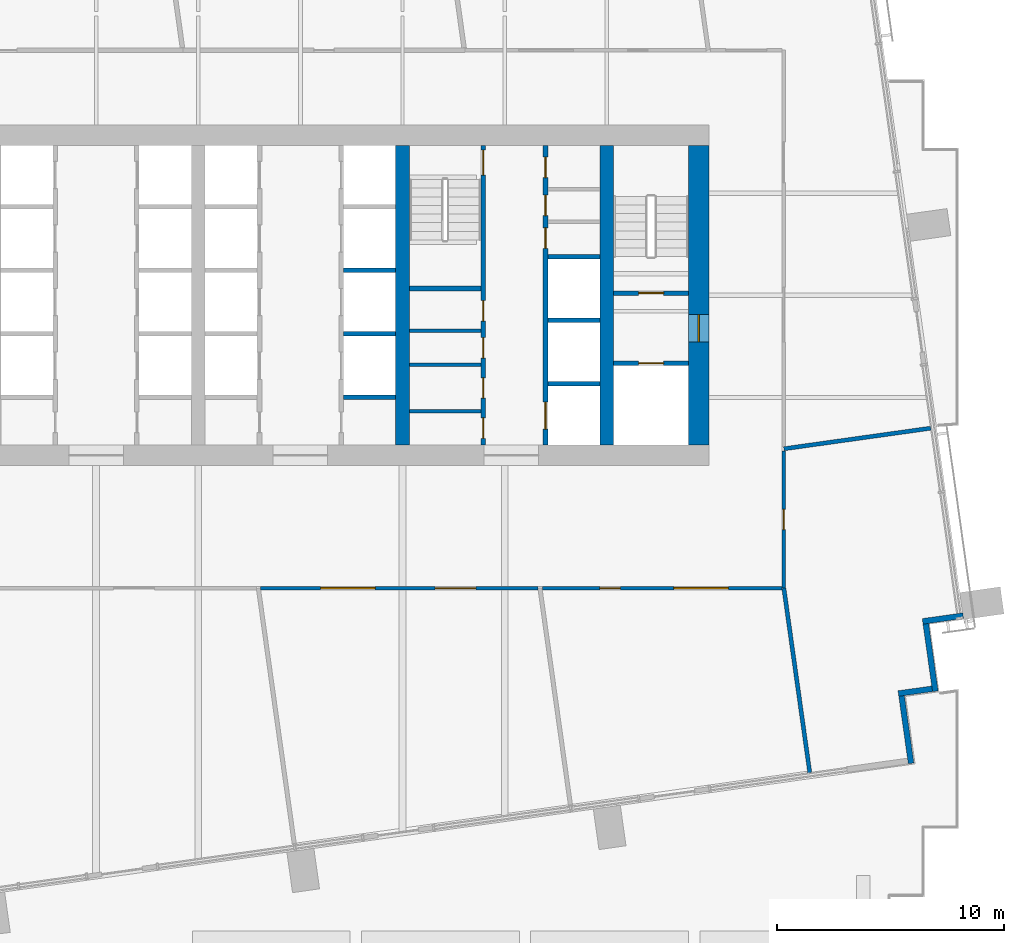
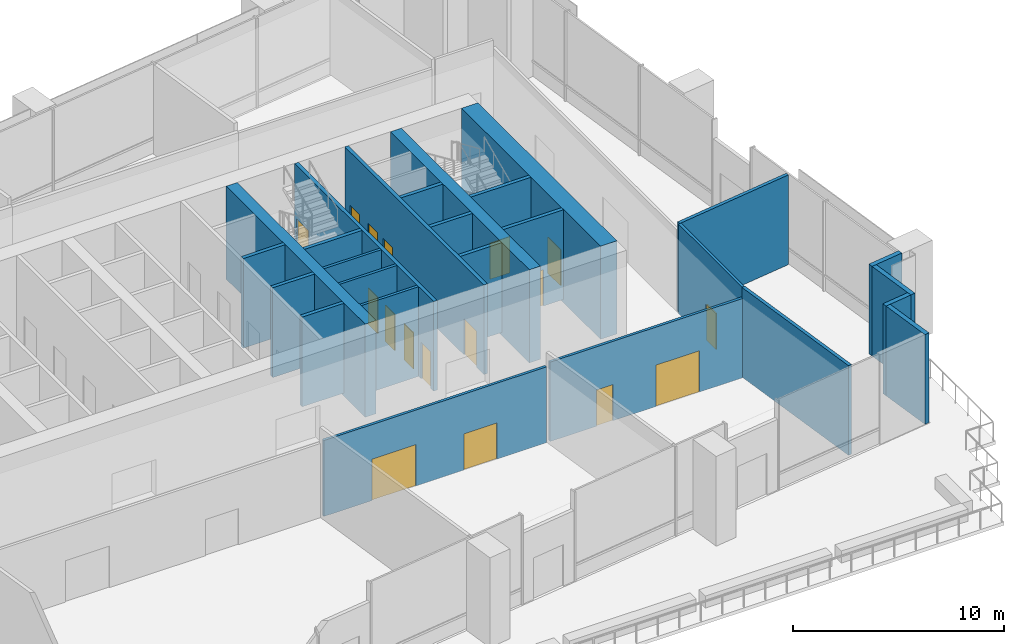
# One storey, part 9 of 17: 26 walls, 15 doors, 2 windows, 17 openings.
"""IFC4 building model written with IfcOpenShell, lengths in metres."""

from ifc_helpers import new_model, si_unit, direction, frame, frame_2d, origin, place, context, subcontext, project, spatial, rectangle, extrude, material, layer, layer_set, type_object, element, fill, save


model = new_model("IFC4")

# Units and contexts
model_context = context("Model", 3, precision=1e-05, world=origin(), true_north=direction((0.0, 1.0)))
body_context = subcontext(model_context, "Body", "Model", "MODEL_VIEW")
ifc_project = project(units=[si_unit("LENGTHUNIT", "METRE"), si_unit("AREAUNIT", "SQUARE_METRE"), si_unit("VOLUMEUNIT", "CUBIC_METRE"), si_unit("PLANEANGLEUNIT", "RADIAN"), si_unit("MASSUNIT", "GRAM", prefix="KILO")], contexts=[model_context])

# Site, building, storey
site_placement = place(None, origin())
site = spatial("IfcSite", under=ifc_project, at=site_placement, CompositionType="ELEMENT")
building_placement = place(site_placement, origin())
building = spatial("IfcBuilding", under=site, at=building_placement, Name="Rattan Terrace Tower", CompositionType="ELEMENT")
storey_placement = place(building_placement, frame((0.0, 0.0, 163.10009765625)))
storey = spatial("IfcBuildingStorey", under=building, at=storey_placement, Name="L37", CompositionType="ELEMENT", Elevation=163.10009765625)

# Walls
ifc_material_1 = material(Name="Gypsum board partition")
ifc_layer_1 = layer(ifc_material_1, 0.14990234375)
ifc_layer_set_1 = layer_set([ifc_layer_1], Name="Core partition 150")
wall_type_1 = type_object("IfcWallType", Name="Core partition 150", PredefinedType="PARTITIONING", material=ifc_layer_set_1)
for number, where, z_axis, x_axis, name in (
    (1, (4.800048828125, -5.10400390625, 0.0), (0.0, 0.0, 1.0), (1.0, 0.0, 0.0), "Toilet wall"),
    (2, (4.800048828125, -3.06396484375, 0.0), (0.0, 0.0, 1.0), (1.0, 0.0, 0.0), "Toilet wall"),
    (3, (4.800048828125, -1.568115234375, 0.0), (0.0, 0.0, 1.0), (1.0, 0.0, 0.0), "Toilet wall"),
):
    element("IfcWall", number, at=place(storey_placement, frame(where, z_axis=z_axis, x_axis=x_axis)), inside=storey, type_object=wall_type_1, Name=name, PredefinedType="PARTITIONING", context=body_context, shape_type="SweptSolid", body=[
        extrude(rectangle(XDim=3.14990234375, YDim=0.14990234375, at=frame_2d((1.574951171875, 0.0))), origin(), (0.0, 0.0, 1.0), 5.199951171875),
    ])

# Wall, opening, door
ifc_material_2 = material(Name="Gypsum board partition")
ifc_layer_2 = layer(ifc_material_2, 0.199951171875)
ifc_layer_set_2 = layer_set([ifc_layer_2], Name="Core partition 200")
wall_type_2 = type_object("IfcWallType", Name="Core partition 200", PredefinedType="PARTITIONING", material=ifc_layer_set_2)
wall_1_placement = place(storey_placement, frame((13.800048828125, -3.0, 0.0), z_axis=(0.0, 0.0, 1.0), x_axis=(1.0, 0.0, 0.0)))
wall_1 = element("IfcWall", 4, at=wall_1_placement, inside=storey, type_object=wall_type_2, Name="Fire-fighting lobby wall", PredefinedType="PARTITIONING", context=body_context, shape_type="SweptSolid", body=[
    extrude(rectangle(XDim=3.300048828125, YDim=0.199951171875, at=frame_2d((1.64990234375, 0.0))), origin(), (0.0, 0.0, 1.0), 5.199951171875),
])
opening_1_placement = place(wall_1_placement, frame((1.10009765625, 0.0, 0.0)))
opening_1 = element("IfcOpeningElement", 5, at=opening_1_placement, cuts=wall_1, Name="Opening L37-LD-FF2", PredefinedType="OPENING", context=body_context, shape_type="SweptSolid", body=[
    extrude(rectangle(XDim=1.10009765625, YDim=2.10009765625, at=frame_2d((0.550048828125, 1.050048828125))), frame((0.0, 0.110595703125, 0.0), z_axis=(0.0, -1.0, 0.0), x_axis=(1.0, 0.0, 0.0)), (0.0, 0.0, 1.0), 0.220947265625),
])
ifc_material_3 = material(Name="Brushed stainless landing door panel")
door_type_1 = type_object("IfcDoorType", Name="Core lift landing door 1100", OperationType="DOUBLE_DOOR_SLIDING", PredefinedType="DOOR", material=ifc_material_3)
door_1_placement = place(opening_1_placement, origin())
door_1 = element("IfcDoor", 6, at=door_1_placement, inside=storey, type_object=door_type_1, Name="Door L37-LD-FF2", OperationType="DOUBLE_DOOR_SLIDING", OverallHeight=2.10009765625, OverallWidth=1.10009765625, PredefinedType="DOOR", context=body_context, shape_type="SweptSolid", body=[
    extrude(rectangle(XDim=1.10009765625, YDim=2.10009765625, at=frame_2d((0.550048828125, 1.050048828125))), frame((0.0, 0.02490234375, 0.0), z_axis=(0.0, -1.0, 0.0), x_axis=(1.0, 0.0, 0.0)), (0.0, 0.0, 1.0), 0.050048828125),
])
fill(opening_1, door_1)

wall_2_placement = place(storey_placement, frame((13.800048828125, 0.10009765625, 0.0), z_axis=(0.0, 0.0, 1.0), x_axis=(1.0, 0.0, 0.0)))
wall_2 = element("IfcWall", 7, at=wall_2_placement, inside=storey, type_object=wall_type_2, Name="Stair enclosure wall", PredefinedType="PARTITIONING", context=body_context, shape_type="SweptSolid", body=[
    extrude(rectangle(XDim=3.300048828125, YDim=0.199951171875, at=frame_2d((1.64990234375, 0.0))), origin(), (0.0, 0.0, 1.0), 5.199951171875),
])
opening_2_placement = place(wall_2_placement, frame((1.10009765625, 0.0, 0.0)))
opening_2 = element("IfcOpeningElement", 8, at=opening_2_placement, cuts=wall_2, Name="Opening L37-D004", PredefinedType="OPENING", context=body_context, shape_type="SweptSolid", body=[
    extrude(rectangle(XDim=1.10009765625, YDim=2.10009765625, at=frame_2d((0.550048828125, 1.050048828125))), frame((0.0, 0.110595703125, 0.0), z_axis=(0.0, -1.0, 0.0), x_axis=(1.0, 0.0, 0.0)), (0.0, 0.0, 1.0), 0.220947265625),
])
ifc_material_4 = material(Name="Hollow-metal fire door leaf")
door_type_2 = type_object("IfcDoorType", Name="Core stair door 1100", OperationType="NOTDEFINED", PredefinedType="DOOR", material=ifc_material_4)
door_2_placement = place(opening_2_placement, origin())
door_2 = element("IfcDoor", 9, at=door_2_placement, inside=storey, type_object=door_type_2, Name="Door L37-D004", OperationType="SINGLE_SWING_RIGHT", OverallHeight=2.10009765625, OverallWidth=1.10009765625, PredefinedType="DOOR", context=body_context, shape_type="SweptSolid", body=[
    extrude(rectangle(XDim=1.10009765625, YDim=2.10009765625, at=frame_2d((0.550048828125, 1.050048828125))), frame((0.0, 0.02490234375, 0.0), z_axis=(0.0, -1.0, 0.0), x_axis=(1.0, 0.0, 0.0)), (0.0, 0.0, 1.0), 0.050048828125),
])
fill(opening_2, door_2)

# Wall, openings, doors
wall_3_placement = place(storey_placement, frame((8.050048828125, -6.60009765625, 0.0), z_axis=(0.0, 0.0, 1.0), x_axis=(0.0, 1.0, 0.0)))
wall_3 = element("IfcWall", 10, at=wall_3_placement, inside=storey, type_object=wall_type_2, Name="Lobby wall west", PredefinedType="PARTITIONING", context=body_context, shape_type="SweptSolid", body=[
    extrude(rectangle(XDim=13.2001953125, YDim=0.199951171875, at=frame_2d((6.60009765625, 0.0))), origin(), (0.0, 0.0, 1.0), 5.199951171875),
])
opening_3_placement = place(wall_3_placement, frame((0.298095703125, 0.0, 0.0)))
opening_3 = element("IfcOpeningElement", 11, at=opening_3_placement, cuts=wall_3, Name="Opening L37-D011", PredefinedType="OPENING", context=body_context, shape_type="SweptSolid", body=[
    extrude(rectangle(XDim=0.89990234375, YDim=2.10009765625, at=frame_2d((0.449951171875, 1.050048828125))), frame((0.0, 0.110595703125, 0.0), z_axis=(0.0, -1.0, 0.0), x_axis=(1.0, 0.0, 0.0)), (0.0, 0.0, 1.0), 0.220947265625),
])
opening_4_placement = place(wall_3_placement, frame((2.06591796875, 0.0, 0.0)))
opening_4 = element("IfcOpeningElement", 12, at=opening_4_placement, cuts=wall_3, Name="Opening L37-D012", PredefinedType="OPENING", context=body_context, shape_type="SweptSolid", body=[
    extrude(rectangle(XDim=0.89990234375, YDim=2.10009765625, at=frame_2d((0.449951171875, 1.050048828125))), frame((0.0, 0.110595703125, 0.0), z_axis=(0.0, -1.0, 0.0), x_axis=(1.0, 0.0, 0.0)), (0.0, 0.0, 1.0), 0.220947265625),
])
opening_5_placement = place(wall_3_placement, frame((3.833984375, 0.0, 0.0)))
opening_5 = element("IfcOpeningElement", 13, at=opening_5_placement, cuts=wall_3, Name="Opening L37-D013", PredefinedType="OPENING", context=body_context, shape_type="SweptSolid", body=[
    extrude(rectangle(XDim=0.89990234375, YDim=2.10009765625, at=frame_2d((0.449951171875, 1.050048828125))), frame((0.0, 0.110595703125, 0.0), z_axis=(0.0, -1.0, 0.0), x_axis=(1.0, 0.0, 0.0)), (0.0, 0.0, 1.0), 0.220947265625),
])
opening_6_placement = place(wall_3_placement, frame((5.466064453125, 0.0, 0.0)))
opening_6 = element("IfcOpeningElement", 14, at=opening_6_placement, cuts=wall_3, Name="Opening L37-D014", PredefinedType="OPENING", context=body_context, shape_type="SweptSolid", body=[
    extrude(rectangle(XDim=0.89990234375, YDim=2.10009765625, at=frame_2d((0.449951171875, 1.050048828125))), frame((0.0, 0.110595703125, 0.0), z_axis=(0.0, -1.0, 0.0), x_axis=(1.0, 0.0, 0.0)), (0.0, 0.0, 1.0), 0.220947265625),
])
opening_7_placement = place(wall_3_placement, frame((11.89990234375, 0.0, 0.0)))
opening_7 = element("IfcOpeningElement", 15, at=opening_7_placement, cuts=wall_3, Name="Opening L37-D015", PredefinedType="OPENING", context=body_context, shape_type="SweptSolid", body=[
    extrude(rectangle(XDim=1.10009765625, YDim=2.10009765625, at=frame_2d((0.550048828125, 1.050048828125))), frame((0.0, 0.110595703125, 0.0), z_axis=(0.0, -1.0, 0.0), x_axis=(1.0, 0.0, 0.0)), (0.0, 0.0, 1.0), 0.220947265625),
])
ifc_material_5 = material(Name="Hollow-metal fire door leaf")
door_type_3 = type_object("IfcDoorType", Name="Core service room door 900", OperationType="NOTDEFINED", PredefinedType="DOOR", material=ifc_material_5)
door_3_placement = place(opening_6_placement, origin())
door_3 = element("IfcDoor", 16, at=door_3_placement, inside=storey, type_object=door_type_3, Name="Door L37-D014", OperationType="SINGLE_SWING_RIGHT", OverallHeight=2.10009765625, OverallWidth=0.89990234375, PredefinedType="DOOR", context=body_context, shape_type="SweptSolid", body=[
    extrude(rectangle(XDim=0.89990234375, YDim=2.10009765625, at=frame_2d((0.449951171875, 1.050048828125))), frame((0.0, 0.02490234375, 0.0), z_axis=(0.0, -1.0, 0.0), x_axis=(1.0, 0.0, 0.0)), (0.0, 0.0, 1.0), 0.050048828125),
])
fill(opening_6, door_3)
door_4_placement = place(opening_7_placement, origin())
door_4 = element("IfcDoor", 17, at=door_4_placement, inside=storey, type_object=door_type_2, Name="Door L37-D015", OperationType="SINGLE_SWING_LEFT", OverallHeight=2.10009765625, OverallWidth=1.10009765625, PredefinedType="DOOR", context=body_context, shape_type="SweptSolid", body=[
    extrude(rectangle(XDim=1.10009765625, YDim=2.10009765625, at=frame_2d((0.550048828125, 1.050048828125))), frame((0.0, 0.02490234375, 0.0), z_axis=(0.0, -1.0, 0.0), x_axis=(1.0, 0.0, 0.0)), (0.0, 0.0, 1.0), 0.050048828125),
])
fill(opening_7, door_4)
ifc_material_6 = material(Name="Hollow-metal fire door leaf")
door_type_4 = type_object("IfcDoorType", Name="Core toilet door 900", OperationType="NOTDEFINED", PredefinedType="DOOR", material=ifc_material_6)
door_5_placement = place(opening_3_placement, origin())
door_5 = element("IfcDoor", 18, at=door_5_placement, inside=storey, type_object=door_type_4, Name="Door L37-D011", OperationType="SINGLE_SWING_LEFT", OverallHeight=2.10009765625, OverallWidth=0.89990234375, PredefinedType="DOOR", context=body_context, shape_type="SweptSolid", body=[
    extrude(rectangle(XDim=0.89990234375, YDim=2.10009765625, at=frame_2d((0.449951171875, 1.050048828125))), frame((0.0, 0.02490234375, 0.0), z_axis=(0.0, -1.0, 0.0), x_axis=(1.0, 0.0, 0.0)), (0.0, 0.0, 1.0), 0.050048828125),
])
fill(opening_3, door_5)
door_6_placement = place(opening_4_placement, origin())
door_6 = element("IfcDoor", 19, at=door_6_placement, inside=storey, type_object=door_type_4, Name="Door L37-D012", OperationType="SINGLE_SWING_RIGHT", OverallHeight=2.10009765625, OverallWidth=0.89990234375, PredefinedType="DOOR", context=body_context, shape_type="SweptSolid", body=[
    extrude(rectangle(XDim=0.89990234375, YDim=2.10009765625, at=frame_2d((0.449951171875, 1.050048828125))), frame((0.0, 0.02490234375, 0.0), z_axis=(0.0, -1.0, 0.0), x_axis=(1.0, 0.0, 0.0)), (0.0, 0.0, 1.0), 0.050048828125),
])
fill(opening_4, door_6)
door_7_placement = place(opening_5_placement, origin())
door_7 = element("IfcDoor", 20, at=door_7_placement, inside=storey, type_object=door_type_4, Name="Door L37-D013", OperationType="SINGLE_SWING_LEFT", OverallHeight=2.10009765625, OverallWidth=0.89990234375, PredefinedType="DOOR", context=body_context, shape_type="SweptSolid", body=[
    extrude(rectangle(XDim=0.89990234375, YDim=2.10009765625, at=frame_2d((0.449951171875, 1.050048828125))), frame((0.0, 0.02490234375, 0.0), z_axis=(0.0, -1.0, 0.0), x_axis=(1.0, 0.0, 0.0)), (0.0, 0.0, 1.0), 0.050048828125),
])
fill(opening_5, door_7)

# Wall
wall_4_placement = place(storey_placement, frame((4.800048828125, 0.300048828125, 0.0), z_axis=(0.0, 0.0, 1.0), x_axis=(1.0, 0.0, 0.0)))
element("IfcWall", 21, at=wall_4_placement, inside=storey, type_object=wall_type_2, Name="Stair enclosure wall", PredefinedType="PARTITIONING", context=body_context, shape_type="SweptSolid", body=[
    extrude(rectangle(XDim=3.14990234375, YDim=0.199951171875, at=frame_2d((1.574951171875, 0.0))), origin(), (0.0, 0.0, 1.0), 5.199951171875),
])

# Wall, opening, door
ifc_material_7 = material(Name="Concrete C60/75", Category="concrete")
ifc_layer_3 = layer(ifc_material_7, 0.89990234375)
ifc_layer_set_3 = layer_set([ifc_layer_3], Name="Core ring wall 900 C60/75")
wall_type_3 = type_object("IfcWallType", Name="Core ring wall 900 C60/75", PredefinedType="SHEAR", material=ifc_layer_set_3)
wall_5_placement = place(storey_placement, frame((17.550048828125, -6.60009765625, -0.2001953125), z_axis=(0.0, 0.0, 1.0), x_axis=(0.0, 1.0, 0.0)))
wall_5 = element("IfcWall", 22, at=wall_5_placement, inside=storey, type_object=wall_type_3, Name="Rear core wall east", PredefinedType="SHEAR", context=body_context, shape_type="SweptSolid", body=[
    extrude(rectangle(XDim=13.2001953125, YDim=0.89990234375, at=frame_2d((6.60009765625, 0.0))), origin(), (0.0, 0.0, 1.0), 5.400146484375),
])
opening_8_placement = place(wall_5_placement, frame((4.550048828125, 0.0, 0.199951171875)))
opening_8 = element("IfcOpeningElement", 23, at=opening_8_placement, cuts=wall_5, Name="Opening L37-D003", PredefinedType="OPENING", context=body_context, shape_type="SweptSolid", body=[
    extrude(rectangle(XDim=1.199951171875, YDim=2.10009765625, at=frame_2d((0.60009765625, 1.050048828125))), frame((0.0, 0.46044921875, 0.0), z_axis=(0.0, -1.0, 0.0), x_axis=(1.0, 0.0, 0.0)), (0.0, 0.0, 1.0), 0.9208984375),
])
ifc_material_8 = material(Name="Hollow-metal fire door leaf")
door_type_5 = type_object("IfcDoorType", Name="Core fire-fighting lobby door 1200", OperationType="NOTDEFINED", PredefinedType="DOOR", material=ifc_material_8)
door_8_placement = place(opening_8_placement, origin())
door_8 = element("IfcDoor", 24, at=door_8_placement, inside=storey, type_object=door_type_5, Name="Door L37-D003", OperationType="SINGLE_SWING_LEFT", OverallHeight=2.10009765625, OverallWidth=1.199951171875, PredefinedType="DOOR", context=body_context, shape_type="SweptSolid", body=[
    extrude(rectangle(XDim=1.199951171875, YDim=2.10009765625, at=frame_2d((0.60009765625, 1.050048828125))), frame((0.0, 0.02490234375, 0.0), z_axis=(0.0, -1.0, 0.0), x_axis=(1.0, 0.0, 0.0)), (0.0, 0.0, 1.0), 0.050048828125),
])
fill(opening_8, door_8)

# Walls
ifc_material_9 = material(Name="Concrete C60/75", Category="concrete")
ifc_layer_4 = layer(ifc_material_9, 0.60009765625)
ifc_layer_set_4 = layer_set([ifc_layer_4], Name="Core spine wall 600 C60/75")
wall_type_4 = type_object("IfcWallType", Name="Core spine wall 600 C60/75", PredefinedType="SHEAR", material=ifc_layer_set_4)
for number, where, z_axis, x_axis, name in (
    (25, (4.5, -6.60009765625, -0.2001953125), (0.0, 0.0, 1.0), (0.0, 1.0, 0.0), "Core spine wall 3"),
    (26, (13.5, -6.60009765625, -0.2001953125), (0.0, 0.0, 1.0), (0.0, 1.0, 0.0), "Core spine wall 4"),
):
    element("IfcWall", number, at=place(storey_placement, frame(where, z_axis=z_axis, x_axis=x_axis)), inside=storey, type_object=wall_type_4, Name=name, PredefinedType="SHEAR", context=body_context, shape_type="SweptSolid", body=[
        extrude(rectangle(XDim=13.2001953125, YDim=0.60009765625, at=frame_2d((6.60009765625, 0.0))), origin(), (0.0, 0.0, 1.0), 5.400146484375),
    ])
ifc_material_10 = material(Name="Insulated aluminium-clad stud wall", Category="aluminium")
ifc_layer_5 = layer(ifc_material_10, 0.25)
ifc_layer_set_5 = layer_set([ifc_layer_5], Name="Facade Riser Wall 250")
wall_type_5 = type_object("IfcWallType", Name="Facade Riser Wall 250", PredefinedType="SOLIDWALL", material=ifc_layer_set_5)
wall_6_placement = place(storey_placement, frame((26.9052734375, -20.6220703125, 0.0), z_axis=(0.0, 0.0, 1.0), x_axis=(-0.139313431826, 0.990248336385, 0.0)))
element("IfcWall", 27, at=wall_6_placement, inside=storey, type_object=wall_type_5, Name="Riser wall L37-2", PredefinedType="SOLIDWALL", context=body_context, shape_type="SweptSolid", body=[
    extrude(rectangle(XDim=3.000244140625, YDim=0.25, at=frame_2d((1.5, 0.0))), origin(), (0.0, 0.0, 1.0), 5.199951171875),
])
wall_7_placement = place(storey_placement, frame((26.34619140625, -17.54443359375, 0.0), z_axis=(0.0, 0.0, 1.0), x_axis=(0.990368090482, 0.13845954411, 0.0)))
element("IfcWall", 28, at=wall_7_placement, inside=storey, type_object=wall_type_5, Name="Riser wall L37-3", PredefinedType="SOLIDWALL", context=body_context, shape_type="SweptSolid", body=[
    extrude(rectangle(XDim=1.50048828125, YDim=0.25, at=frame_2d((0.750244140625, 0.0))), origin(), (0.0, 0.0, 1.0), 5.199951171875),
])
wall_8_placement = place(storey_placement, frame((27.973388671875, -17.443115234375, 0.0), z_axis=(0.0, 0.0, 1.0), x_axis=(-0.139313431826, 0.990248336385, 0.0)))
element("IfcWall", 29, at=wall_8_placement, inside=storey, type_object=wall_type_5, Name="Riser wall L37-4", PredefinedType="SOLIDWALL", context=body_context, shape_type="SweptSolid", body=[
    extrude(rectangle(XDim=3.000244140625, YDim=0.25, at=frame_2d((1.5, 0.0))), origin(), (0.0, 0.0, 1.0), 5.199951171875),
])
wall_9_placement = place(storey_placement, frame((27.414306640625, -14.36572265625, 0.0), z_axis=(0.0, 0.0, 1.0), x_axis=(0.990256286673, 0.139256908998, 0.0)))
element("IfcWall", 30, at=wall_9_placement, inside=storey, type_object=wall_type_5, Name="Riser wall L37-5", PredefinedType="SOLIDWALL", context=body_context, shape_type="SweptSolid", body=[
    extrude(rectangle(XDim=1.800537109375, YDim=0.25, at=frame_2d((0.900390625, 0.0))), origin(), (0.0, 0.0, 1.0), 5.199951171875),
])
ifc_material_11 = material(Name="Double steel stud acoustic partition, gypsum board, mineral wool, fire rated", Category="steel")
ifc_layer_6 = layer(ifc_material_11, 0.179931640625)
ifc_layer_set_6 = layer_set([ifc_layer_6], Name="Floors Acoustic Party Wall 180")
wall_type_6 = type_object("IfcWallType", Name="Floors Acoustic Party Wall 180", PredefinedType="PARTITIONING", material=ifc_layer_set_6)
wall_10_placement = place(storey_placement, frame((21.300048828125, -12.89990234375, 0.0), z_axis=(0.0, 0.0, 1.0), x_axis=(0.13917785753, -0.990267400238, 0.0)))
element("IfcWall", 31, at=wall_10_placement, inside=storey, type_object=wall_type_6, Name="pt-L37-013", PredefinedType="PARTITIONING", context=body_context, shape_type="SweptSolid", body=[
    extrude(rectangle(XDim=8.212890625, YDim=0.179931640625, at=frame_2d((4.1064453125, 0.0))), origin(), (0.0, 0.0, 1.0), 5.199951171875),
])
wall_11_placement = place(storey_placement, frame((21.300048828125, -6.761962890625, 0.0), z_axis=(0.0, 0.0, 1.0), x_axis=(0.990293345408, 0.13899312947, 0.0)))
element("IfcWall", 32, at=wall_11_placement, inside=storey, type_object=wall_type_6, Name="pt-L37-018", PredefinedType="PARTITIONING", context=body_context, shape_type="SweptSolid", body=[
    extrude(rectangle(XDim=6.532470703125, YDim=0.179931640625, at=frame_2d((3.26611328125, 0.0))), origin(), (0.0, 0.0, 1.0), 5.199951171875),
])

# Wall, openings, door, window
ifc_material_12 = material(Name="Gypsum board partition on steel studs, fire rated", Category="steel")
ifc_layer_7 = layer(ifc_material_12, 0.14990234375)
ifc_layer_set_7 = layer_set([ifc_layer_7], Name="Floors Tenancy Wall 150")
wall_type_7 = type_object("IfcWallType", Name="Floors Tenancy Wall 150", PredefinedType="PARTITIONING", material=ifc_layer_set_7)
wall_12_placement = place(storey_placement, frame((21.2109375, -12.89990234375, 0.0), z_axis=(0.0, 0.0, 1.0), x_axis=(-1.0, 0.0, 0.0)))
wall_12 = element("IfcWall", 33, at=wall_12_placement, inside=storey, type_object=wall_type_7, Name="pt-L37-001", PredefinedType="PARTITIONING", context=body_context, shape_type="SweptSolid", body=[
    extrude(rectangle(XDim=10.554931640625, YDim=0.14990234375, at=frame_2d((5.27734375, 0.0))), origin(), (0.0, 0.0, 1.0), 4.599853515625),
])
opening_9_placement = place(wall_12_placement, frame((7.115966796875, 0.0, 0.0)))
opening_9 = element("IfcOpeningElement", 34, at=opening_9_placement, cuts=wall_12, Name="Opening L37-D100", PredefinedType="OPENING", context=body_context, shape_type="SweptSolid", body=[
    extrude(rectangle(XDim=0.89990234375, YDim=2.10009765625, at=frame_2d((0.449951171875, 1.050048828125))), frame((0.0, 0.08544921875, 0.0), z_axis=(0.0, -1.0, 0.0), x_axis=(1.0, 0.0, 0.0)), (0.0, 0.0, 1.0), 0.1708984375),
])
opening_10_placement = place(wall_12_placement, frame((2.35791015625, 0.0, 0.0)))
opening_10 = element("IfcOpeningElement", 35, at=opening_10_placement, cuts=wall_12, Name="Opening L37-W100", PredefinedType="OPENING", context=body_context, shape_type="SweptSolid", body=[
    extrude(rectangle(XDim=2.39990234375, YDim=2.39990234375, at=frame_2d((1.199951171875, 1.199951171875))), frame((0.0, 0.08544921875, 0.0), z_axis=(0.0, -1.0, 0.0), x_axis=(1.0, 0.0, 0.0)), (0.0, 0.0, 1.0), 0.1708984375),
])
ifc_material_13 = material(Name="Steel fire door set", Category="steel")
door_type_6 = type_object("IfcDoorType", Name="Floors Fire Door FD30S 900x2100", OperationType="NOTDEFINED", PredefinedType="DOOR", material=ifc_material_13)
door_9_placement = place(opening_9_placement, origin())
door_9 = element("IfcDoor", 36, at=door_9_placement, inside=storey, type_object=door_type_6, Name="d-L37-100", OperationType="SINGLE_SWING_RIGHT", OverallHeight=2.10009765625, OverallWidth=0.89990234375, PredefinedType="DOOR", context=body_context, shape_type="SweptSolid", body=[
    extrude(rectangle(XDim=0.89990234375, YDim=2.10009765625, at=frame_2d((0.449951171875, 1.050048828125))), frame((0.0, 0.02490234375, 0.0), z_axis=(0.0, -1.0, 0.0), x_axis=(1.0, 0.0, 0.0)), (0.0, 0.0, 1.0), 0.050048828125),
])
fill(opening_9, door_9)
ifc_material_14 = material(Name="Glass, clear, fixed in aluminium frame", Category="aluminium")
window_type = type_object("IfcWindowType", Name="Interior Glazed Screen 2400x2400", PartitioningType="SINGLE_PANEL", PredefinedType="WINDOW", material=ifc_material_14)
window_1_placement = place(opening_10_placement, origin())
window_1 = element("IfcWindow", 37, at=window_1_placement, inside=storey, type_object=window_type, Name="w-L37-100", OverallHeight=2.39990234375, OverallWidth=2.39990234375, PartitioningType="SINGLE_PANEL", PredefinedType="WINDOW", context=body_context, shape_type="SweptSolid", body=[
    extrude(rectangle(XDim=2.39990234375, YDim=2.39990234375, at=frame_2d((1.199951171875, 1.199951171875))), frame((0.0, 0.030029296875, 0.0), z_axis=(0.0, -1.0, 0.0), x_axis=(1.0, 0.0, 0.0)), (0.0, 0.0, 1.0), 0.06005859375),
])
fill(opening_10, window_1)

wall_13_placement = place(storey_placement, frame((10.466064453125, -12.89990234375, 0.0), z_axis=(0.0, 0.0, 1.0), x_axis=(-1.0, 0.0, 0.0)))
wall_13 = element("IfcWall", 38, at=wall_13_placement, inside=storey, type_object=wall_type_7, Name="pt-L37-002", PredefinedType="PARTITIONING", context=body_context, shape_type="SweptSolid", body=[
    extrude(rectangle(XDim=12.216064453125, YDim=0.14990234375, at=frame_2d((6.10791015625, 0.0))), origin(), (0.0, 0.0, 1.0), 4.39990234375),
])
opening_11_placement = place(wall_13_placement, frame((2.72900390625, 0.0, 0.0)))
opening_11 = element("IfcOpeningElement", 39, at=opening_11_placement, cuts=wall_13, Name="Opening L37-D101", PredefinedType="OPENING", context=body_context, shape_type="SweptSolid", body=[
    extrude(rectangle(XDim=1.800048828125, YDim=2.10009765625, at=frame_2d((0.89990234375, 1.050048828125))), frame((0.0, 0.08544921875, 0.0), z_axis=(0.0, -1.0, 0.0), x_axis=(1.0, 0.0, 0.0)), (0.0, 0.0, 1.0), 0.1708984375),
])
opening_12_placement = place(wall_13_placement, frame((7.1708984375, 0.0, 0.0)))
opening_12 = element("IfcOpeningElement", 40, at=opening_12_placement, cuts=wall_13, Name="Opening L37-W101", PredefinedType="OPENING", context=body_context, shape_type="SweptSolid", body=[
    extrude(rectangle(XDim=2.39990234375, YDim=2.39990234375, at=frame_2d((1.199951171875, 1.199951171875))), frame((0.0, 0.08544921875, 0.0), z_axis=(0.0, -1.0, 0.0), x_axis=(1.0, 0.0, 0.0)), (0.0, 0.0, 1.0), 0.1708984375),
])
ifc_material_15 = material(Name="Steel fire door set", Category="steel")
door_type_7 = type_object("IfcDoorType", Name="Floors Fire Door Pair FD30S 1800x2100", OperationType="NOTDEFINED", PredefinedType="DOOR", material=ifc_material_15)
door_10_placement = place(opening_11_placement, origin())
door_10 = element("IfcDoor", 41, at=door_10_placement, inside=storey, type_object=door_type_7, Name="d-L37-101", OperationType="DOUBLE_DOOR_SINGLE_SWING", OverallHeight=2.10009765625, OverallWidth=1.800048828125, PredefinedType="DOOR", context=body_context, shape_type="SweptSolid", body=[
    extrude(rectangle(XDim=1.800048828125, YDim=2.10009765625, at=frame_2d((0.89990234375, 1.050048828125))), frame((0.0, 0.02490234375, 0.0), z_axis=(0.0, -1.0, 0.0), x_axis=(1.0, 0.0, 0.0)), (0.0, 0.0, 1.0), 0.050048828125),
])
fill(opening_11, door_10)
window_2_placement = place(opening_12_placement, origin())
window_2 = element("IfcWindow", 42, at=window_2_placement, inside=storey, type_object=window_type, Name="w-L37-101", OverallHeight=2.39990234375, OverallWidth=2.39990234375, PartitioningType="SINGLE_PANEL", PredefinedType="WINDOW", context=body_context, shape_type="SweptSolid", body=[
    extrude(rectangle(XDim=2.39990234375, YDim=2.39990234375, at=frame_2d((1.199951171875, 1.199951171875))), frame((0.0, 0.030029296875, 0.0), z_axis=(0.0, -1.0, 0.0), x_axis=(1.0, 0.0, 0.0)), (0.0, 0.0, 1.0), 0.06005859375),
])
fill(opening_12, window_2)

# Wall, opening, door
wall_14_placement = place(storey_placement, frame((21.300048828125, -6.85107421875, 0.0), z_axis=(0.0, 0.0, 1.0), x_axis=(0.0, -1.0, 0.0)))
wall_14 = element("IfcWall", 43, at=wall_14_placement, inside=storey, type_object=wall_type_7, Name="pt-L37-005", PredefinedType="PARTITIONING", context=body_context, shape_type="SweptSolid", body=[
    extrude(rectangle(XDim=6.048828125, YDim=0.14990234375, at=frame_2d((3.0244140625, 0.0))), origin(), (0.0, 0.0, 1.0), 5.199951171875),
])
opening_13_placement = place(wall_14_placement, frame((2.573974609375, 0.0, 0.0)))
opening_13 = element("IfcOpeningElement", 44, at=opening_13_placement, cuts=wall_14, Name="Opening L37-D104", PredefinedType="OPENING", context=body_context, shape_type="SweptSolid", body=[
    extrude(rectangle(XDim=0.89990234375, YDim=2.10009765625, at=frame_2d((0.449951171875, 1.050048828125))), frame((0.0, 0.08544921875, 0.0), z_axis=(0.0, -1.0, 0.0), x_axis=(1.0, 0.0, 0.0)), (0.0, 0.0, 1.0), 0.1708984375),
])
door_11_placement = place(opening_13_placement, origin())
door_11 = element("IfcDoor", 45, at=door_11_placement, inside=storey, type_object=door_type_6, Name="d-L37-104", OperationType="SINGLE_SWING_LEFT", OverallHeight=2.10009765625, OverallWidth=0.89990234375, PredefinedType="DOOR", context=body_context, shape_type="SweptSolid", body=[
    extrude(rectangle(XDim=0.89990234375, YDim=2.10009765625, at=frame_2d((0.449951171875, 1.050048828125))), frame((0.0, 0.02490234375, 0.0), z_axis=(0.0, -1.0, 0.0), x_axis=(1.0, 0.0, 0.0)), (0.0, 0.0, 1.0), 0.050048828125),
])
fill(opening_13, door_11)

# Walls
ifc_material_16 = material(Name="Gypsum shaft wall system")
ifc_layer_8 = layer(ifc_material_16, 0.199951171875)
ifc_layer_set_8 = layer_set([ifc_layer_8], Name="Lift shaft wall 200")
wall_type_8 = type_object("IfcWallType", Name="Lift shaft wall 200", PredefinedType="PARTITIONING", material=ifc_layer_set_8)
for number, where, z_axis, x_axis, name in (
    (46, (1.89990234375, -1.699951171875, 0.0), (0.0, 0.0, 1.0), (1.0, 0.0, 0.0), "Lift shaft wall"),
    (47, (1.89990234375, 1.10009765625, 0.0), (0.0, 0.0, 1.0), (1.0, 0.0, 0.0), "Lift shaft wall"),
    (48, (1.89990234375, -4.5, 0.0), (0.0, 0.0, 1.0), (1.0, 0.0, 0.0), "Lift shaft wall"),
):
    element("IfcWall", number, at=place(storey_placement, frame(where, z_axis=z_axis, x_axis=x_axis)), inside=storey, type_object=wall_type_8, Name=name, PredefinedType="PARTITIONING", context=body_context, shape_type="SweptSolid", body=[
        extrude(rectangle(XDim=2.300048828125, YDim=0.199951171875, at=frame_2d((1.14990234375, 0.0))), origin(), (0.0, 0.0, 1.0), 5.199951171875),
    ])

# Wall, openings, doors
wall_15_placement = place(storey_placement, frame((10.800048828125, -6.60009765625, 0.0), z_axis=(0.0, 0.0, 1.0), x_axis=(0.0, 1.0, 0.0)))
wall_15 = element("IfcWall", 49, at=wall_15_placement, inside=storey, type_object=wall_type_8, Name="Lift shaft front wall", PredefinedType="PARTITIONING", context=body_context, shape_type="SweptSolid", body=[
    extrude(rectangle(XDim=13.2001953125, YDim=0.199951171875, at=frame_2d((6.60009765625, 0.0))), origin(), (0.0, 0.0, 1.0), 5.199951171875),
])
opening_14_placement = place(wall_15_placement, frame((0.699951171875, 0.0, 0.0)))
opening_14 = element("IfcOpeningElement", 50, at=opening_14_placement, cuts=wall_15, Name="Opening L37-LD-SV1", PredefinedType="OPENING", context=body_context, shape_type="SweptSolid", body=[
    extrude(rectangle(XDim=1.199951171875, YDim=2.10009765625, at=frame_2d((0.60009765625, 1.050048828125))), frame((0.0, 0.110595703125, 0.0), z_axis=(0.0, -1.0, 0.0), x_axis=(1.0, 0.0, 0.0)), (0.0, 0.0, 1.0), 0.220947265625),
])
opening_15_placement = place(wall_15_placement, frame((8.669921875, 0.0, 0.0)))
opening_15 = element("IfcOpeningElement", 51, at=opening_15_placement, cuts=wall_15, Name="Opening L37-D017", PredefinedType="OPENING", context=body_context, shape_type="SweptSolid", body=[
    extrude(rectangle(XDim=0.89990234375, YDim=2.10009765625, at=frame_2d((0.449951171875, 1.050048828125))), frame((0.0, 0.110595703125, 0.0), z_axis=(0.0, -1.0, 0.0), x_axis=(1.0, 0.0, 0.0)), (0.0, 0.0, 1.0), 0.220947265625),
])
opening_16_placement = place(wall_15_placement, frame((10.110107421875, 0.0, 0.0)))
opening_16 = element("IfcOpeningElement", 52, at=opening_16_placement, cuts=wall_15, Name="Opening L37-D018", PredefinedType="OPENING", context=body_context, shape_type="SweptSolid", body=[
    extrude(rectangle(XDim=0.89990234375, YDim=2.10009765625, at=frame_2d((0.449951171875, 1.050048828125))), frame((0.0, 0.110595703125, 0.0), z_axis=(0.0, -1.0, 0.0), x_axis=(1.0, 0.0, 0.0)), (0.0, 0.0, 1.0), 0.220947265625),
])
opening_17_placement = place(wall_15_placement, frame((11.7900390625, 0.0, 0.0)))
opening_17 = element("IfcOpeningElement", 53, at=opening_17_placement, cuts=wall_15, Name="Opening L37-D019", PredefinedType="OPENING", context=body_context, shape_type="SweptSolid", body=[
    extrude(rectangle(XDim=0.89990234375, YDim=2.10009765625, at=frame_2d((0.449951171875, 1.050048828125))), frame((0.0, 0.110595703125, 0.0), z_axis=(0.0, -1.0, 0.0), x_axis=(1.0, 0.0, 0.0)), (0.0, 0.0, 1.0), 0.220947265625),
])
ifc_material_17 = material(Name="Brushed stainless landing door panel")
door_type_8 = type_object("IfcDoorType", Name="Core lift landing door 1200", OperationType="DOUBLE_DOOR_SLIDING", PredefinedType="DOOR", material=ifc_material_17)
door_12_placement = place(opening_14_placement, origin())
door_12 = element("IfcDoor", 54, at=door_12_placement, inside=storey, type_object=door_type_8, Name="Door L37-LD-SV1", OperationType="DOUBLE_DOOR_SLIDING", OverallHeight=2.10009765625, OverallWidth=1.199951171875, PredefinedType="DOOR", context=body_context, shape_type="SweptSolid", body=[
    extrude(rectangle(XDim=1.199951171875, YDim=2.10009765625, at=frame_2d((0.60009765625, 1.050048828125))), frame((0.0, 0.02490234375, 0.0), z_axis=(0.0, -1.0, 0.0), x_axis=(1.0, 0.0, 0.0)), (0.0, 0.0, 1.0), 0.050048828125),
])
fill(opening_14, door_12)
ifc_material_18 = material(Name="Hollow-metal fire door leaf")
door_type_9 = type_object("IfcDoorType", Name="Core riser door 900", OperationType="NOTDEFINED", PredefinedType="DOOR", material=ifc_material_18)
door_13_placement = place(opening_15_placement, origin())
door_13 = element("IfcDoor", 55, at=door_13_placement, inside=storey, type_object=door_type_9, Name="Door L37-D017", OperationType="SINGLE_SWING_RIGHT", OverallHeight=2.10009765625, OverallWidth=0.89990234375, PredefinedType="DOOR", context=body_context, shape_type="SweptSolid", body=[
    extrude(rectangle(XDim=0.89990234375, YDim=2.10009765625, at=frame_2d((0.449951171875, 1.050048828125))), frame((0.0, 0.02490234375, 0.0), z_axis=(0.0, -1.0, 0.0), x_axis=(1.0, 0.0, 0.0)), (0.0, 0.0, 1.0), 0.050048828125),
])
fill(opening_15, door_13)
door_14_placement = place(opening_16_placement, origin())
door_14 = element("IfcDoor", 56, at=door_14_placement, inside=storey, type_object=door_type_9, Name="Door L37-D018", OperationType="SINGLE_SWING_LEFT", OverallHeight=2.10009765625, OverallWidth=0.89990234375, PredefinedType="DOOR", context=body_context, shape_type="SweptSolid", body=[
    extrude(rectangle(XDim=0.89990234375, YDim=2.10009765625, at=frame_2d((0.449951171875, 1.050048828125))), frame((0.0, 0.02490234375, 0.0), z_axis=(0.0, -1.0, 0.0), x_axis=(1.0, 0.0, 0.0)), (0.0, 0.0, 1.0), 0.050048828125),
])
fill(opening_16, door_14)
door_15_placement = place(opening_17_placement, origin())
door_15 = element("IfcDoor", 57, at=door_15_placement, inside=storey, type_object=door_type_3, Name="Door L37-D019", OperationType="SINGLE_SWING_RIGHT", OverallHeight=2.10009765625, OverallWidth=0.89990234375, PredefinedType="DOOR", context=body_context, shape_type="SweptSolid", body=[
    extrude(rectangle(XDim=0.89990234375, YDim=2.10009765625, at=frame_2d((0.449951171875, 1.050048828125))), frame((0.0, 0.02490234375, 0.0), z_axis=(0.0, -1.0, 0.0), x_axis=(1.0, 0.0, 0.0)), (0.0, 0.0, 1.0), 0.050048828125),
])
fill(opening_17, door_15)

# Walls
for number, where, z_axis, x_axis, name in (
    (58, (10.89990234375, -3.89990234375, 0.0), (0.0, 0.0, 1.0), (1.0, 0.0, 0.0), "Lift shaft wall"),
    (59, (10.89990234375, -1.10009765625, 0.0), (0.0, 0.0, 1.0), (1.0, 0.0, 0.0), "Lift shaft wall"),
    (60, (10.89990234375, 1.699951171875, 0.0), (0.0, 0.0, 1.0), (1.0, 0.0, 0.0), "Lift shaft wall"),
):
    element("IfcWall", number, at=place(storey_placement, frame(where, z_axis=z_axis, x_axis=x_axis)), inside=storey, type_object=wall_type_8, Name=name, PredefinedType="PARTITIONING", context=body_context, shape_type="SweptSolid", body=[
        extrude(rectangle(XDim=2.300048828125, YDim=0.199951171875, at=frame_2d((1.14990234375, 0.0))), origin(), (0.0, 0.0, 1.0), 5.199951171875),
    ])

save(model, "model.ifc")
